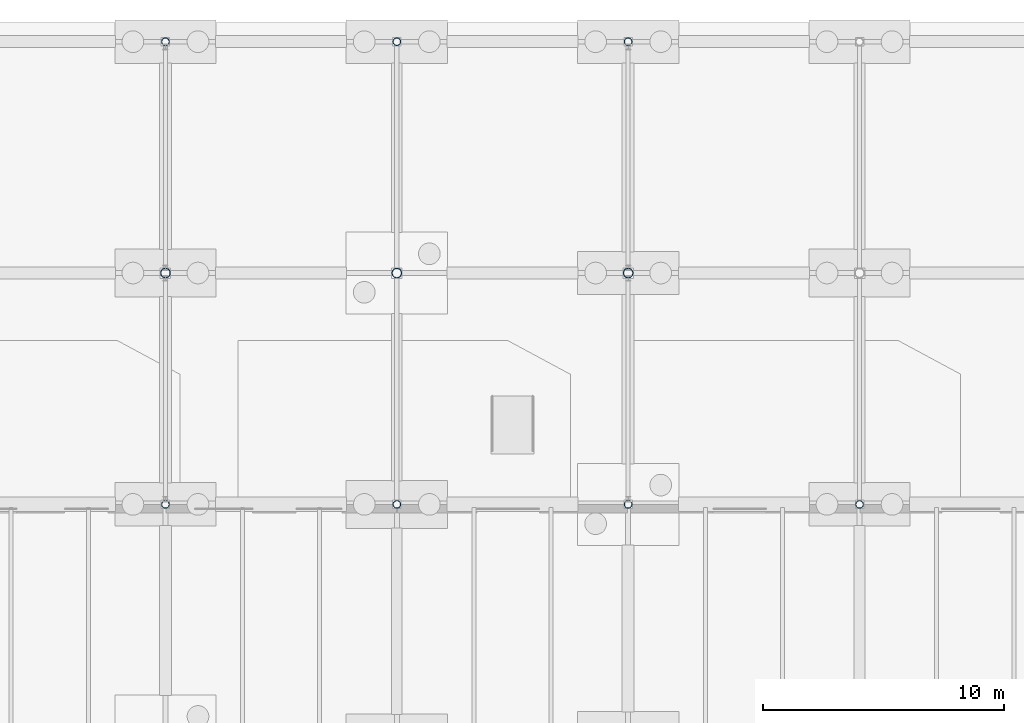
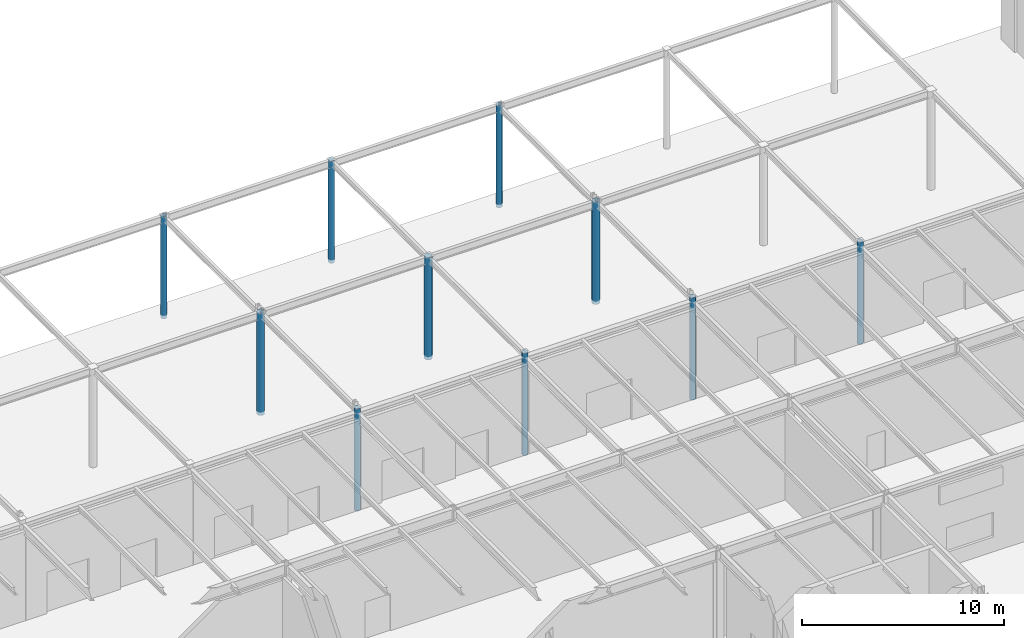
# One storey, part 26 of 142: 10 columns.
"""IFC4 building model written with IfcOpenShell, lengths in metres."""

from ifc_helpers import new_model, si_unit, direction, frame, origin, origin_2d, place, context, subcontext, project, spatial, hollow_circle, extrude, material, material_profile, profile_set, type_object, element, save


model = new_model("IFC4")

# Units and contexts
model_context = context("Model", 3, precision=1e-05, world=origin(), true_north=direction((0.0, 1.0)))
body_context = subcontext(model_context, "Body", "Model", "MODEL_VIEW")
ifc_project = project(units=[si_unit("LENGTHUNIT", "METRE"), si_unit("AREAUNIT", "SQUARE_METRE"), si_unit("VOLUMEUNIT", "CUBIC_METRE"), si_unit("PLANEANGLEUNIT", "RADIAN"), si_unit("MASSUNIT", "GRAM", prefix="KILO")], contexts=[model_context])

# Site, building, storey
site_placement = place(None, origin())
site = spatial("IfcSite", under=ifc_project, at=site_placement, CompositionType="ELEMENT")
building_placement = place(site_placement, origin())
building = spatial("IfcBuilding", under=site, at=building_placement, Name="Coralgate Yard Interchange", CompositionType="ELEMENT")
storey_placement = place(building_placement, origin())
storey = spatial("IfcBuildingStorey", under=building, at=storey_placement, Name="L00", CompositionType="ELEMENT", Elevation=0.0)

# Columns
ifc_material = material(Name="Structural steel S355J2", Category="steel")
ifc_material_profile_1 = material_profile(ifc_material, hollow_circle(Radius=0.203125, WallThickness=0.01611328125, at=origin_2d()), Name="CHS 406.4x16")
ifc_profile_set_1 = profile_set([ifc_material_profile_1], Name="Structural steel S355J2")
column_type_1 = type_object("IfcColumnType", Name="COL-SC-12", PredefinedType="COLUMN", material=ifc_profile_set_1)
for number, where, z_axis, x_axis, name in (
    (1, (134.39990234375, 105.60009765625, -0.199951171875), (0.0, 0.0, 1.0), (1.0, 0.0, 0.0), "L00 wave-canopy steel column 14-11"),
    (2, (144.0, 105.60009765625, -0.199951171875), (0.0, 0.0, 1.0), (1.0, 0.0, 0.0), "L00 wave-canopy steel column 15-11"),
    (3, (153.60009765625, 105.60009765625, -0.199951171875), (0.0, 0.0, 1.0), (1.0, 0.0, 0.0), "L00 wave-canopy steel column 16-11"),
):
    element("IfcColumn", number, at=place(storey_placement, frame(where, z_axis=z_axis, x_axis=x_axis)), inside=storey, type_object=column_type_1, Name=name, PredefinedType="COLUMN", context=body_context, shape_type="SweptSolid", body=[
        extrude(hollow_circle(Radius=0.203125, WallThickness=0.01611328125, at=origin_2d()), origin(), (0.0, 0.0, 1.0), 6.199951171875),
    ])
ifc_material_profile_2 = material_profile(ifc_material, hollow_circle(Radius=0.161865234375, WallThickness=0.012451171875, at=origin_2d()), Name="CHS 323.9x12.5")
ifc_profile_set_2 = profile_set([ifc_material_profile_2], Name="Structural steel S355J2")
column_type_2 = type_object("IfcColumnType", Name="COL-SC-13", PredefinedType="COLUMN", material=ifc_profile_set_2)
for number, where, z_axis, x_axis, name in (
    (4, (134.39990234375, 96.0, -0.199951171875), (0.0, 0.0, 1.0), (1.0, 0.0, 0.0), "L00 wave-canopy steel column 14-10"),
    (5, (134.39990234375, 115.199951171875, -0.199951171875), (0.0, 0.0, 1.0), (1.0, 0.0, 0.0), "L00 wave-canopy steel column 14-12"),
    (6, (144.0, 96.0, -0.199951171875), (0.0, 0.0, 1.0), (1.0, 0.0, 0.0), "L00 wave-canopy steel column 15-10"),
    (7, (144.0, 115.199951171875, -0.199951171875), (0.0, 0.0, 1.0), (1.0, 0.0, 0.0), "L00 wave-canopy steel column 15-12"),
    (8, (153.60009765625, 96.0, -0.199951171875), (0.0, 0.0, 1.0), (1.0, 0.0, 0.0), "L00 wave-canopy steel column 16-10"),
    (9, (153.60009765625, 115.199951171875, -0.199951171875), (0.0, 0.0, 1.0), (1.0, 0.0, 0.0), "L00 wave-canopy steel column 16-12"),
    (10, (163.199951171875, 96.0, -0.199951171875), (0.0, 0.0, 1.0), (1.0, 0.0, 0.0), "L00 wave-canopy steel column 17-10"),
):
    element("IfcColumn", number, at=place(storey_placement, frame(where, z_axis=z_axis, x_axis=x_axis)), inside=storey, type_object=column_type_2, Name=name, PredefinedType="COLUMN", context=body_context, shape_type="SweptSolid", body=[
        extrude(hollow_circle(Radius=0.161865234375, WallThickness=0.012451171875, at=origin_2d()), origin(), (0.0, 0.0, 1.0), 6.199951171875),
    ])

save(model, "model.ifc")
